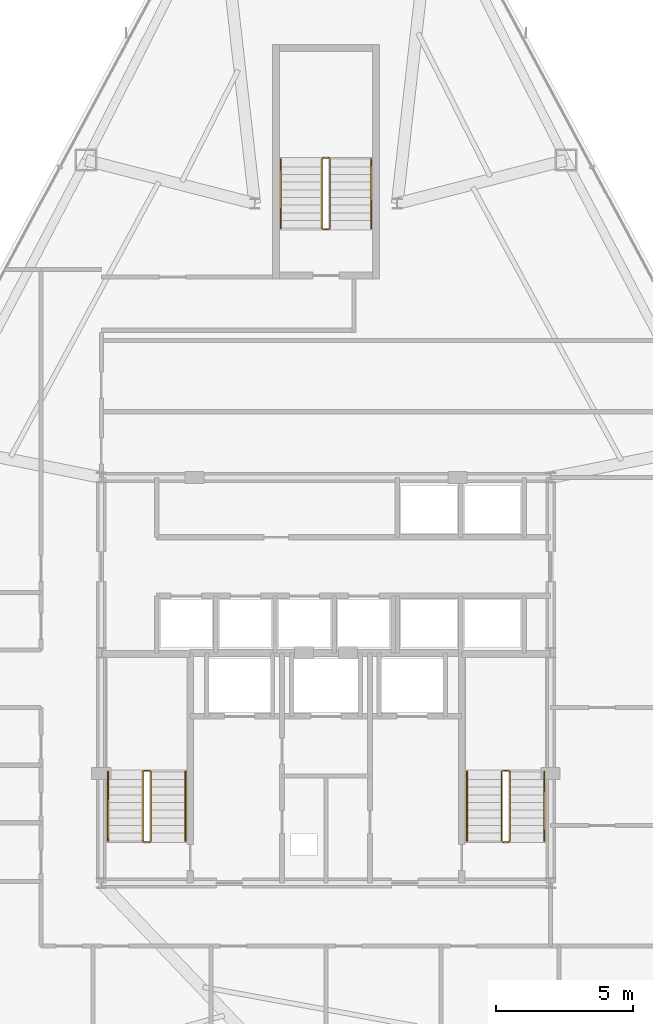
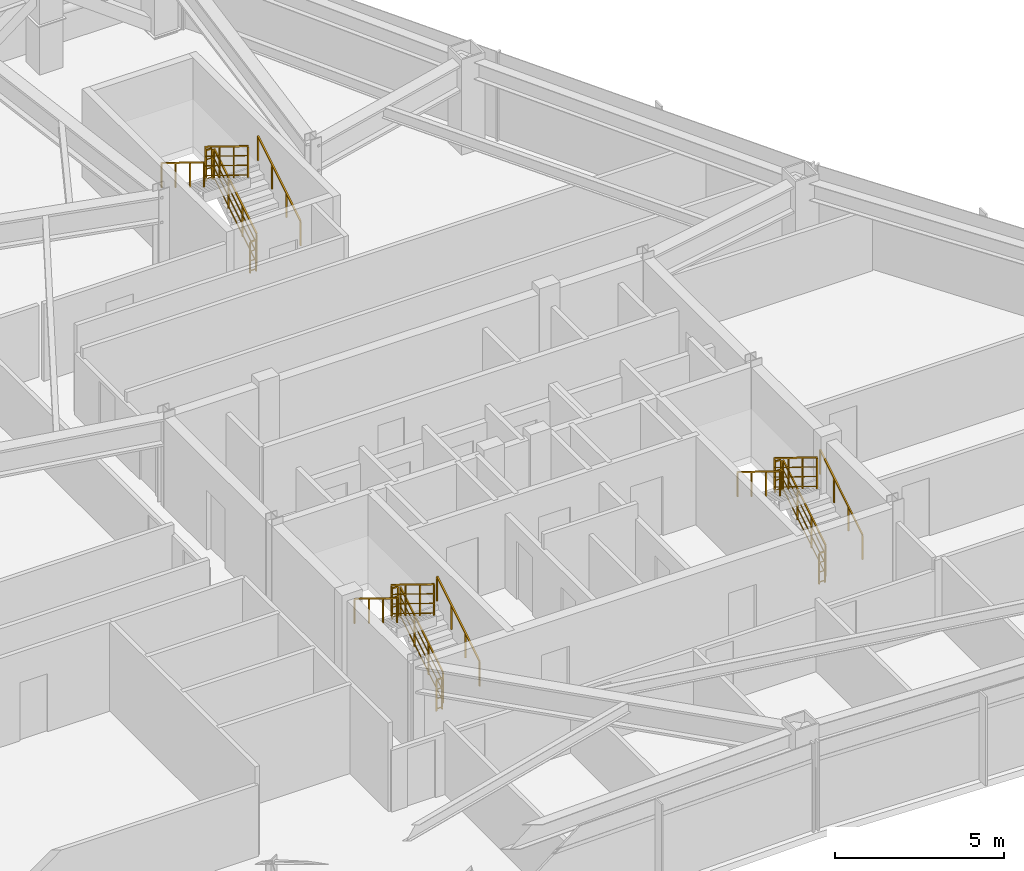
# One storey, part 13 of 13: 18 railings.
"""IFC4 building model written with IfcOpenShell, lengths in metres."""

from ifc_helpers import new_model, si_unit, direction, frame, origin, origin_2d, place, context, subcontext, project, spatial, rectangle, extrude, material, type_object, element, save


model = new_model("IFC4")

# Units and contexts
model_context = context("Model", 3, precision=1e-05, world=origin(), true_north=direction((0.0, 1.0)))
body_context = subcontext(model_context, "Body", "Model", "MODEL_VIEW")
ifc_project = project(units=[si_unit("LENGTHUNIT", "METRE"), si_unit("AREAUNIT", "SQUARE_METRE"), si_unit("VOLUMEUNIT", "CUBIC_METRE"), si_unit("PLANEANGLEUNIT", "RADIAN"), si_unit("MASSUNIT", "GRAM", prefix="KILO")], contexts=[model_context])

# Site, building, storey
site_placement = place(None, origin())
site = spatial("IfcSite", under=ifc_project, at=site_placement, CompositionType="ELEMENT")
building_placement = place(site_placement, origin())
building = spatial("IfcBuilding", under=site, at=building_placement, Name="Varakhsha Concourse Tower", CompositionType="ELEMENT")
storey_placement = place(building_placement, frame((0.0, 0.0, 168.89990234375)))
storey = spatial("IfcBuildingStorey", under=building, at=storey_placement, Name="L48", CompositionType="ELEMENT", Elevation=168.89990234375)

# Railings
ifc_material = material(Name="Brushed Austenitic Stainless Steel AISI 316", Category="steel")
railing_type_1 = type_object("IfcRailingType", Name="RL-STAIR-GUARD-1100", PredefinedType="GUARDRAIL", material=ifc_material)
railing_1_placement = place(storey_placement, frame((33.610107421875, 17.93994140625, 0.172607421875)))
element("IfcRailing", 1, at=railing_1_placement, inside=storey, type_object=railing_type_1, Name="L48 ST1 stair guard 1", PredefinedType="GUARDRAIL", context=body_context, shape_type="SweptSolid", body=[
    extrude(rectangle(XDim=0.048095703125, YDim=0.048095703125, at=origin_2d()), frame((0.0, 0.0, 1.1259765625), z_axis=(0.0, 0.851400495292, 0.524516154772), x_axis=(-1.0, 0.0, 0.0)), (0.0, 0.0, 1.0), 2.9599609375),
    extrude(rectangle(XDim=0.028076171875, YDim=0.028076171875, at=origin_2d()), frame((0.0, 0.0, 0.080078125), z_axis=(0.0, 0.851400495292, 0.524516154772), x_axis=(-1.0, 0.0, 0.0)), (0.0, 0.0, 1.0), 2.9599609375),
    extrude(rectangle(XDim=0.028076171875, YDim=0.028076171875, at=origin_2d()), frame((0.0, 0.0, 0.43701171875), z_axis=(0.0, 0.851400495292, 0.524516154772), x_axis=(-1.0, 0.0, 0.0)), (0.0, 0.0, 1.0), 2.9599609375),
    extrude(rectangle(XDim=0.028076171875, YDim=0.028076171875, at=origin_2d()), frame((0.0, 0.0, 0.781982421875), z_axis=(0.0, 0.851400495292, 0.524516154772), x_axis=(-1.0, 0.0, 0.0)), (0.0, 0.0, 1.0), 2.9599609375),
    extrude(rectangle(XDim=0.0419921875, YDim=0.0419921875, at=origin_2d()), origin(), (0.0, 0.0, 1.0), 1.101806640625),
    extrude(rectangle(XDim=0.0419921875, YDim=0.0419921875, at=origin_2d()), frame((0.0, 0.840087890625, 0.517578125)), (0.0, 0.0, 1.0), 1.101806640625),
    extrude(rectangle(XDim=0.0419921875, YDim=0.0419921875, at=origin_2d()), frame((0.0, 1.679931640625, 1.034912109375)), (0.0, 0.0, 1.0), 1.101806640625),
    extrude(rectangle(XDim=0.0419921875, YDim=0.0419921875, at=origin_2d()), frame((0.0, 2.52001953125, 1.552490234375)), (0.0, 0.0, 1.0), 1.101806640625),
])
railing_2_placement = place(storey_placement, frame((33.56005859375, 20.510009765625, 1.72509765625)))
element("IfcRailing", 2, at=railing_2_placement, inside=storey, type_object=railing_type_1, Name="L48 ST1 stair guard 2", PredefinedType="GUARDRAIL", context=body_context, shape_type="SweptSolid", body=[
    extrude(rectangle(XDim=0.048095703125, YDim=0.048095703125, at=origin_2d()), frame((0.0, 0.0, 1.1259765625), z_axis=(-1.0, 0.0, 0.0), x_axis=(0.0, -1.0, 0.0)), (0.0, 0.0, 1.0), 0.199951171875),
    extrude(rectangle(XDim=0.028076171875, YDim=0.028076171875, at=origin_2d()), frame((0.0, 0.0, 0.080078125), z_axis=(-1.0, 0.0, 0.0), x_axis=(0.0, -1.0, 0.0)), (0.0, 0.0, 1.0), 0.199951171875),
    extrude(rectangle(XDim=0.028076171875, YDim=0.028076171875, at=origin_2d()), frame((0.0, 0.0, 0.43701171875), z_axis=(-1.0, 0.0, 0.0), x_axis=(0.0, -1.0, 0.0)), (0.0, 0.0, 1.0), 0.199951171875),
    extrude(rectangle(XDim=0.028076171875, YDim=0.028076171875, at=origin_2d()), frame((0.0, 0.0, 0.781982421875), z_axis=(-1.0, 0.0, 0.0), x_axis=(0.0, -1.0, 0.0)), (0.0, 0.0, 1.0), 0.199951171875),
    extrude(rectangle(XDim=0.0419921875, YDim=0.0419921875, at=origin_2d()), origin(), (0.0, 0.0, 1.0), 1.101806640625),
    extrude(rectangle(XDim=0.0419921875, YDim=0.0419921875, at=origin_2d()), frame((-0.199951171875, 0.0, 0.0)), (0.0, 0.0, 1.0), 1.101806640625),
])
railing_3_placement = place(storey_placement, frame((33.31005859375, 20.4599609375, 1.897705078125)))
element("IfcRailing", 3, at=railing_3_placement, inside=storey, type_object=railing_type_1, Name="L48 ST1 stair guard 3", PredefinedType="GUARDRAIL", context=body_context, shape_type="SweptSolid", body=[
    extrude(rectangle(XDim=0.048095703125, YDim=0.048095703125, at=origin_2d()), frame((0.0, 0.0, 1.1259765625), z_axis=(0.0, -0.851400495292, 0.524516154772), x_axis=(1.0, 0.0, 0.0)), (0.0, 0.0, 1.0), 2.9599609375),
    extrude(rectangle(XDim=0.028076171875, YDim=0.028076171875, at=origin_2d()), frame((0.0, 0.0, 0.080078125), z_axis=(0.0, -0.851400495292, 0.524516154772), x_axis=(1.0, 0.0, 0.0)), (0.0, 0.0, 1.0), 2.9599609375),
    extrude(rectangle(XDim=0.028076171875, YDim=0.028076171875, at=origin_2d()), frame((0.0, 0.0, 0.43701171875), z_axis=(0.0, -0.851400495292, 0.524516154772), x_axis=(1.0, 0.0, 0.0)), (0.0, 0.0, 1.0), 2.9599609375),
    extrude(rectangle(XDim=0.028076171875, YDim=0.028076171875, at=origin_2d()), frame((0.0, 0.0, 0.781982421875), z_axis=(0.0, -0.851400495292, 0.524516154772), x_axis=(1.0, 0.0, 0.0)), (0.0, 0.0, 1.0), 2.9599609375),
    extrude(rectangle(XDim=0.0419921875, YDim=0.0419921875, at=origin_2d()), origin(), (0.0, 0.0, 1.0), 1.101806640625),
    extrude(rectangle(XDim=0.0419921875, YDim=0.0419921875, at=origin_2d()), frame((0.0, -0.840087890625, 0.517578125)), (0.0, 0.0, 1.0), 1.101806640625),
    extrude(rectangle(XDim=0.0419921875, YDim=0.0419921875, at=origin_2d()), frame((0.0, -1.679931640625, 1.034912109375)), (0.0, 0.0, 1.0), 1.101806640625),
    extrude(rectangle(XDim=0.0419921875, YDim=0.0419921875, at=origin_2d()), frame((0.0, -2.52001953125, 1.552490234375)), (0.0, 0.0, 1.0), 1.101806640625),
])
railing_4_placement = place(storey_placement, frame((33.56005859375, 17.889892578125, 0.0)))
element("IfcRailing", 4, at=railing_4_placement, inside=storey, type_object=railing_type_1, Name="L48 ST1 stair guard 4", PredefinedType="GUARDRAIL", context=body_context, shape_type="SweptSolid", body=[
    extrude(rectangle(XDim=0.048095703125, YDim=0.048095703125, at=origin_2d()), frame((0.0, 0.0, 1.1259765625), z_axis=(-1.0, 0.0, 0.0), x_axis=(0.0, -1.0, 0.0)), (0.0, 0.0, 1.0), 0.199951171875),
    extrude(rectangle(XDim=0.028076171875, YDim=0.028076171875, at=origin_2d()), frame((0.0, 0.0, 0.080078125), z_axis=(-1.0, 0.0, 0.0), x_axis=(0.0, -1.0, 0.0)), (0.0, 0.0, 1.0), 0.199951171875),
    extrude(rectangle(XDim=0.028076171875, YDim=0.028076171875, at=origin_2d()), frame((0.0, 0.0, 0.43701171875), z_axis=(-1.0, 0.0, 0.0), x_axis=(0.0, -1.0, 0.0)), (0.0, 0.0, 1.0), 0.199951171875),
    extrude(rectangle(XDim=0.028076171875, YDim=0.028076171875, at=origin_2d()), frame((0.0, 0.0, 0.781982421875), z_axis=(-1.0, 0.0, 0.0), x_axis=(0.0, -1.0, 0.0)), (0.0, 0.0, 1.0), 0.199951171875),
    extrude(rectangle(XDim=0.0419921875, YDim=0.0419921875, at=origin_2d()), origin(), (0.0, 0.0, 1.0), 1.101806640625),
    extrude(rectangle(XDim=0.0419921875, YDim=0.0419921875, at=origin_2d()), frame((-0.199951171875, 0.0, 0.0)), (0.0, 0.0, 1.0), 1.101806640625),
])
railing_5_placement = place(storey_placement, frame((46.7099609375, 17.93994140625, 0.172607421875)))
element("IfcRailing", 5, at=railing_5_placement, inside=storey, type_object=railing_type_1, Name="L48 ST2 stair guard 1", PredefinedType="GUARDRAIL", context=body_context, shape_type="SweptSolid", body=[
    extrude(rectangle(XDim=0.048095703125, YDim=0.048095703125, at=origin_2d()), frame((0.0, 0.0, 1.1259765625), z_axis=(0.0, 0.851400495292, 0.524516154772), x_axis=(-1.0, 0.0, 0.0)), (0.0, 0.0, 1.0), 2.9599609375),
    extrude(rectangle(XDim=0.028076171875, YDim=0.028076171875, at=origin_2d()), frame((0.0, 0.0, 0.080078125), z_axis=(0.0, 0.851400495292, 0.524516154772), x_axis=(-1.0, 0.0, 0.0)), (0.0, 0.0, 1.0), 2.9599609375),
    extrude(rectangle(XDim=0.028076171875, YDim=0.028076171875, at=origin_2d()), frame((0.0, 0.0, 0.43701171875), z_axis=(0.0, 0.851400495292, 0.524516154772), x_axis=(-1.0, 0.0, 0.0)), (0.0, 0.0, 1.0), 2.9599609375),
    extrude(rectangle(XDim=0.028076171875, YDim=0.028076171875, at=origin_2d()), frame((0.0, 0.0, 0.781982421875), z_axis=(0.0, 0.851400495292, 0.524516154772), x_axis=(-1.0, 0.0, 0.0)), (0.0, 0.0, 1.0), 2.9599609375),
    extrude(rectangle(XDim=0.0419921875, YDim=0.0419921875, at=origin_2d()), origin(), (0.0, 0.0, 1.0), 1.101806640625),
    extrude(rectangle(XDim=0.0419921875, YDim=0.0419921875, at=origin_2d()), frame((0.0, 0.840087890625, 0.517578125)), (0.0, 0.0, 1.0), 1.101806640625),
    extrude(rectangle(XDim=0.0419921875, YDim=0.0419921875, at=origin_2d()), frame((0.0, 1.679931640625, 1.034912109375)), (0.0, 0.0, 1.0), 1.101806640625),
    extrude(rectangle(XDim=0.0419921875, YDim=0.0419921875, at=origin_2d()), frame((0.0, 2.52001953125, 1.552490234375)), (0.0, 0.0, 1.0), 1.101806640625),
])
railing_6_placement = place(storey_placement, frame((46.659912109375, 20.510009765625, 1.72509765625)))
element("IfcRailing", 6, at=railing_6_placement, inside=storey, type_object=railing_type_1, Name="L48 ST2 stair guard 2", PredefinedType="GUARDRAIL", context=body_context, shape_type="SweptSolid", body=[
    extrude(rectangle(XDim=0.048095703125, YDim=0.048095703125, at=origin_2d()), frame((0.0, 0.0, 1.1259765625), z_axis=(-1.0, 0.0, 0.0), x_axis=(0.0, -1.0, 0.0)), (0.0, 0.0, 1.0), 0.199951171875),
    extrude(rectangle(XDim=0.028076171875, YDim=0.028076171875, at=origin_2d()), frame((0.0, 0.0, 0.080078125), z_axis=(-1.0, 0.0, 0.0), x_axis=(0.0, -1.0, 0.0)), (0.0, 0.0, 1.0), 0.199951171875),
    extrude(rectangle(XDim=0.028076171875, YDim=0.028076171875, at=origin_2d()), frame((0.0, 0.0, 0.43701171875), z_axis=(-1.0, 0.0, 0.0), x_axis=(0.0, -1.0, 0.0)), (0.0, 0.0, 1.0), 0.199951171875),
    extrude(rectangle(XDim=0.028076171875, YDim=0.028076171875, at=origin_2d()), frame((0.0, 0.0, 0.781982421875), z_axis=(-1.0, 0.0, 0.0), x_axis=(0.0, -1.0, 0.0)), (0.0, 0.0, 1.0), 0.199951171875),
    extrude(rectangle(XDim=0.0419921875, YDim=0.0419921875, at=origin_2d()), origin(), (0.0, 0.0, 1.0), 1.101806640625),
    extrude(rectangle(XDim=0.0419921875, YDim=0.0419921875, at=origin_2d()), frame((-0.199951171875, 0.0, 0.0)), (0.0, 0.0, 1.0), 1.101806640625),
])
railing_7_placement = place(storey_placement, frame((46.409912109375, 20.4599609375, 1.897705078125)))
element("IfcRailing", 7, at=railing_7_placement, inside=storey, type_object=railing_type_1, Name="L48 ST2 stair guard 3", PredefinedType="GUARDRAIL", context=body_context, shape_type="SweptSolid", body=[
    extrude(rectangle(XDim=0.048095703125, YDim=0.048095703125, at=origin_2d()), frame((0.0, 0.0, 1.1259765625), z_axis=(0.0, -0.851400495292, 0.524516154772), x_axis=(1.0, 0.0, 0.0)), (0.0, 0.0, 1.0), 2.9599609375),
    extrude(rectangle(XDim=0.028076171875, YDim=0.028076171875, at=origin_2d()), frame((0.0, 0.0, 0.080078125), z_axis=(0.0, -0.851400495292, 0.524516154772), x_axis=(1.0, 0.0, 0.0)), (0.0, 0.0, 1.0), 2.9599609375),
    extrude(rectangle(XDim=0.028076171875, YDim=0.028076171875, at=origin_2d()), frame((0.0, 0.0, 0.43701171875), z_axis=(0.0, -0.851400495292, 0.524516154772), x_axis=(1.0, 0.0, 0.0)), (0.0, 0.0, 1.0), 2.9599609375),
    extrude(rectangle(XDim=0.028076171875, YDim=0.028076171875, at=origin_2d()), frame((0.0, 0.0, 0.781982421875), z_axis=(0.0, -0.851400495292, 0.524516154772), x_axis=(1.0, 0.0, 0.0)), (0.0, 0.0, 1.0), 2.9599609375),
    extrude(rectangle(XDim=0.0419921875, YDim=0.0419921875, at=origin_2d()), origin(), (0.0, 0.0, 1.0), 1.101806640625),
    extrude(rectangle(XDim=0.0419921875, YDim=0.0419921875, at=origin_2d()), frame((0.0, -0.840087890625, 0.517578125)), (0.0, 0.0, 1.0), 1.101806640625),
    extrude(rectangle(XDim=0.0419921875, YDim=0.0419921875, at=origin_2d()), frame((0.0, -1.679931640625, 1.034912109375)), (0.0, 0.0, 1.0), 1.101806640625),
    extrude(rectangle(XDim=0.0419921875, YDim=0.0419921875, at=origin_2d()), frame((0.0, -2.52001953125, 1.552490234375)), (0.0, 0.0, 1.0), 1.101806640625),
])
railing_8_placement = place(storey_placement, frame((46.659912109375, 17.889892578125, 0.0)))
element("IfcRailing", 8, at=railing_8_placement, inside=storey, type_object=railing_type_1, Name="L48 ST2 stair guard 4", PredefinedType="GUARDRAIL", context=body_context, shape_type="SweptSolid", body=[
    extrude(rectangle(XDim=0.048095703125, YDim=0.048095703125, at=origin_2d()), frame((0.0, 0.0, 1.1259765625), z_axis=(-1.0, 0.0, 0.0), x_axis=(0.0, -1.0, 0.0)), (0.0, 0.0, 1.0), 0.199951171875),
    extrude(rectangle(XDim=0.028076171875, YDim=0.028076171875, at=origin_2d()), frame((0.0, 0.0, 0.080078125), z_axis=(-1.0, 0.0, 0.0), x_axis=(0.0, -1.0, 0.0)), (0.0, 0.0, 1.0), 0.199951171875),
    extrude(rectangle(XDim=0.028076171875, YDim=0.028076171875, at=origin_2d()), frame((0.0, 0.0, 0.43701171875), z_axis=(-1.0, 0.0, 0.0), x_axis=(0.0, -1.0, 0.0)), (0.0, 0.0, 1.0), 0.199951171875),
    extrude(rectangle(XDim=0.028076171875, YDim=0.028076171875, at=origin_2d()), frame((0.0, 0.0, 0.781982421875), z_axis=(-1.0, 0.0, 0.0), x_axis=(0.0, -1.0, 0.0)), (0.0, 0.0, 1.0), 0.199951171875),
    extrude(rectangle(XDim=0.0419921875, YDim=0.0419921875, at=origin_2d()), origin(), (0.0, 0.0, 1.0), 1.101806640625),
    extrude(rectangle(XDim=0.0419921875, YDim=0.0419921875, at=origin_2d()), frame((-0.199951171875, 0.0, 0.0)), (0.0, 0.0, 1.0), 1.101806640625),
])
railing_9_placement = place(storey_placement, frame((40.14990234375, 40.300048828125, 0.172607421875)))
element("IfcRailing", 9, at=railing_9_placement, inside=storey, type_object=railing_type_1, Name="L48 ST5 stair guard 1", PredefinedType="GUARDRAIL", context=body_context, shape_type="SweptSolid", body=[
    extrude(rectangle(XDim=0.048095703125, YDim=0.048095703125, at=origin_2d()), frame((0.0, 0.0, 1.1259765625), z_axis=(0.0, 0.851400495292, 0.524516154772), x_axis=(-1.0, 0.0, 0.0)), (0.0, 0.0, 1.0), 2.9599609375),
    extrude(rectangle(XDim=0.028076171875, YDim=0.028076171875, at=origin_2d()), frame((0.0, 0.0, 0.080078125), z_axis=(0.0, 0.851400495292, 0.524516154772), x_axis=(-1.0, 0.0, 0.0)), (0.0, 0.0, 1.0), 2.9599609375),
    extrude(rectangle(XDim=0.028076171875, YDim=0.028076171875, at=origin_2d()), frame((0.0, 0.0, 0.43701171875), z_axis=(0.0, 0.851400495292, 0.524516154772), x_axis=(-1.0, 0.0, 0.0)), (0.0, 0.0, 1.0), 2.9599609375),
    extrude(rectangle(XDim=0.028076171875, YDim=0.028076171875, at=origin_2d()), frame((0.0, 0.0, 0.781982421875), z_axis=(0.0, 0.851400495292, 0.524516154772), x_axis=(-1.0, 0.0, 0.0)), (0.0, 0.0, 1.0), 2.9599609375),
    extrude(rectangle(XDim=0.0419921875, YDim=0.0419921875, at=origin_2d()), origin(), (0.0, 0.0, 1.0), 1.101806640625),
    extrude(rectangle(XDim=0.0419921875, YDim=0.0419921875, at=origin_2d()), frame((0.0, 0.840087890625, 0.517578125)), (0.0, 0.0, 1.0), 1.101806640625),
    extrude(rectangle(XDim=0.0419921875, YDim=0.0419921875, at=origin_2d()), frame((0.0, 1.679931640625, 1.034912109375)), (0.0, 0.0, 1.0), 1.101806640625),
    extrude(rectangle(XDim=0.0419921875, YDim=0.0419921875, at=origin_2d()), frame((0.0, 2.52001953125, 1.552490234375)), (0.0, 0.0, 1.0), 1.101806640625),
])
railing_10_placement = place(storey_placement, frame((40.10009765625, 42.8701171875, 1.72509765625)))
element("IfcRailing", 10, at=railing_10_placement, inside=storey, type_object=railing_type_1, Name="L48 ST5 stair guard 2", PredefinedType="GUARDRAIL", context=body_context, shape_type="SweptSolid", body=[
    extrude(rectangle(XDim=0.048095703125, YDim=0.048095703125, at=origin_2d()), frame((0.0, 0.0, 1.1259765625), z_axis=(-1.0, 0.0, 0.0), x_axis=(0.0, -1.0, 0.0)), (0.0, 0.0, 1.0), 0.2001953125),
    extrude(rectangle(XDim=0.028076171875, YDim=0.028076171875, at=origin_2d()), frame((0.0, 0.0, 0.080078125), z_axis=(-1.0, 0.0, 0.0), x_axis=(0.0, -1.0, 0.0)), (0.0, 0.0, 1.0), 0.2001953125),
    extrude(rectangle(XDim=0.028076171875, YDim=0.028076171875, at=origin_2d()), frame((0.0, 0.0, 0.43701171875), z_axis=(-1.0, 0.0, 0.0), x_axis=(0.0, -1.0, 0.0)), (0.0, 0.0, 1.0), 0.2001953125),
    extrude(rectangle(XDim=0.028076171875, YDim=0.028076171875, at=origin_2d()), frame((0.0, 0.0, 0.781982421875), z_axis=(-1.0, 0.0, 0.0), x_axis=(0.0, -1.0, 0.0)), (0.0, 0.0, 1.0), 0.2001953125),
    extrude(rectangle(XDim=0.0419921875, YDim=0.0419921875, at=origin_2d()), origin(), (0.0, 0.0, 1.0), 1.101806640625),
    extrude(rectangle(XDim=0.0419921875, YDim=0.0419921875, at=origin_2d()), frame((-0.2001953125, 0.0, 0.0)), (0.0, 0.0, 1.0), 1.101806640625),
])
railing_11_placement = place(storey_placement, frame((39.85009765625, 42.820068359375, 1.897705078125)))
element("IfcRailing", 11, at=railing_11_placement, inside=storey, type_object=railing_type_1, Name="L48 ST5 stair guard 3", PredefinedType="GUARDRAIL", context=body_context, shape_type="SweptSolid", body=[
    extrude(rectangle(XDim=0.048095703125, YDim=0.048095703125, at=origin_2d()), frame((0.0, 0.0, 1.1259765625), z_axis=(0.0, -0.851400495292, 0.524516154772), x_axis=(1.0, 0.0, 0.0)), (0.0, 0.0, 1.0), 2.9599609375),
    extrude(rectangle(XDim=0.028076171875, YDim=0.028076171875, at=origin_2d()), frame((0.0, 0.0, 0.080078125), z_axis=(0.0, -0.851400495292, 0.524516154772), x_axis=(1.0, 0.0, 0.0)), (0.0, 0.0, 1.0), 2.9599609375),
    extrude(rectangle(XDim=0.028076171875, YDim=0.028076171875, at=origin_2d()), frame((0.0, 0.0, 0.43701171875), z_axis=(0.0, -0.851400495292, 0.524516154772), x_axis=(1.0, 0.0, 0.0)), (0.0, 0.0, 1.0), 2.9599609375),
    extrude(rectangle(XDim=0.028076171875, YDim=0.028076171875, at=origin_2d()), frame((0.0, 0.0, 0.781982421875), z_axis=(0.0, -0.851400495292, 0.524516154772), x_axis=(1.0, 0.0, 0.0)), (0.0, 0.0, 1.0), 2.9599609375),
    extrude(rectangle(XDim=0.0419921875, YDim=0.0419921875, at=origin_2d()), origin(), (0.0, 0.0, 1.0), 1.101806640625),
    extrude(rectangle(XDim=0.0419921875, YDim=0.0419921875, at=origin_2d()), frame((0.0, -0.840087890625, 0.517578125)), (0.0, 0.0, 1.0), 1.101806640625),
    extrude(rectangle(XDim=0.0419921875, YDim=0.0419921875, at=origin_2d()), frame((0.0, -1.679931640625, 1.034912109375)), (0.0, 0.0, 1.0), 1.101806640625),
    extrude(rectangle(XDim=0.0419921875, YDim=0.0419921875, at=origin_2d()), frame((0.0, -2.52001953125, 1.552490234375)), (0.0, 0.0, 1.0), 1.101806640625),
])
railing_12_placement = place(storey_placement, frame((40.10009765625, 40.25, 0.0)))
element("IfcRailing", 12, at=railing_12_placement, inside=storey, type_object=railing_type_1, Name="L48 ST5 stair guard 4", PredefinedType="GUARDRAIL", context=body_context, shape_type="SweptSolid", body=[
    extrude(rectangle(XDim=0.048095703125, YDim=0.048095703125, at=origin_2d()), frame((0.0, 0.0, 1.1259765625), z_axis=(-1.0, 0.0, 0.0), x_axis=(0.0, -1.0, 0.0)), (0.0, 0.0, 1.0), 0.2001953125),
    extrude(rectangle(XDim=0.028076171875, YDim=0.028076171875, at=origin_2d()), frame((0.0, 0.0, 0.080078125), z_axis=(-1.0, 0.0, 0.0), x_axis=(0.0, -1.0, 0.0)), (0.0, 0.0, 1.0), 0.2001953125),
    extrude(rectangle(XDim=0.028076171875, YDim=0.028076171875, at=origin_2d()), frame((0.0, 0.0, 0.43701171875), z_axis=(-1.0, 0.0, 0.0), x_axis=(0.0, -1.0, 0.0)), (0.0, 0.0, 1.0), 0.2001953125),
    extrude(rectangle(XDim=0.028076171875, YDim=0.028076171875, at=origin_2d()), frame((0.0, 0.0, 0.781982421875), z_axis=(-1.0, 0.0, 0.0), x_axis=(0.0, -1.0, 0.0)), (0.0, 0.0, 1.0), 0.2001953125),
    extrude(rectangle(XDim=0.0419921875, YDim=0.0419921875, at=origin_2d()), origin(), (0.0, 0.0, 1.0), 1.101806640625),
    extrude(rectangle(XDim=0.0419921875, YDim=0.0419921875, at=origin_2d()), frame((-0.2001953125, 0.0, 0.0)), (0.0, 0.0, 1.0), 1.101806640625),
])
railing_type_2 = type_object("IfcRailingType", Name="RL-STAIR-RAIL-915", PredefinedType="HANDRAIL", material=ifc_material)
railing_13_placement = place(storey_placement, frame((34.8701171875, 17.93994140625, 0.34521484375)))
element("IfcRailing", 13, at=railing_13_placement, inside=storey, type_object=railing_type_2, Name="L48 ST1 stair handrail 1", PredefinedType="HANDRAIL", context=body_context, shape_type="SweptSolid", body=[
    extrude(rectangle(XDim=0.048095703125, YDim=0.048095703125, at=origin_2d()), frame((0.0, 0.0, 0.89111328125), z_axis=(0.0, 0.851400495292, 0.524516154772), x_axis=(-1.0, 0.0, 0.0)), (0.0, 0.0, 1.0), 2.9599609375),
    extrude(rectangle(XDim=0.0419921875, YDim=0.0419921875, at=origin_2d()), origin(), (0.0, 0.0, 1.0), 0.866943359375),
    extrude(rectangle(XDim=0.0419921875, YDim=0.0419921875, at=origin_2d()), frame((0.0, 0.840087890625, 0.517578125)), (0.0, 0.0, 1.0), 0.866943359375),
    extrude(rectangle(XDim=0.0419921875, YDim=0.0419921875, at=origin_2d()), frame((0.0, 1.679931640625, 1.034912109375)), (0.0, 0.0, 1.0), 0.866943359375),
    extrude(rectangle(XDim=0.0419921875, YDim=0.0419921875, at=origin_2d()), frame((0.0, 2.52001953125, 1.552490234375)), (0.0, 0.0, 1.0), 0.866943359375),
])
railing_14_placement = place(storey_placement, frame((32.050048828125, 20.4599609375, 2.070068359375)))
element("IfcRailing", 14, at=railing_14_placement, inside=storey, type_object=railing_type_2, Name="L48 ST1 stair handrail 2", PredefinedType="HANDRAIL", context=body_context, shape_type="SweptSolid", body=[
    extrude(rectangle(XDim=0.048095703125, YDim=0.048095703125, at=origin_2d()), frame((0.0, 0.0, 0.89111328125), z_axis=(0.0, -0.851400495292, 0.524516154772), x_axis=(1.0, 0.0, 0.0)), (0.0, 0.0, 1.0), 2.9599609375),
    extrude(rectangle(XDim=0.0419921875, YDim=0.0419921875, at=origin_2d()), origin(), (0.0, 0.0, 1.0), 0.866943359375),
    extrude(rectangle(XDim=0.0419921875, YDim=0.0419921875, at=origin_2d()), frame((0.0, -0.840087890625, 0.517578125)), (0.0, 0.0, 1.0), 0.866943359375),
    extrude(rectangle(XDim=0.0419921875, YDim=0.0419921875, at=origin_2d()), frame((0.0, -1.679931640625, 1.034912109375)), (0.0, 0.0, 1.0), 0.866943359375),
    extrude(rectangle(XDim=0.0419921875, YDim=0.0419921875, at=origin_2d()), frame((0.0, -2.52001953125, 1.552490234375)), (0.0, 0.0, 1.0), 0.866943359375),
])
railing_15_placement = place(storey_placement, frame((47.969970703125, 17.93994140625, 0.34521484375)))
element("IfcRailing", 15, at=railing_15_placement, inside=storey, type_object=railing_type_2, Name="L48 ST2 stair handrail 1", PredefinedType="HANDRAIL", context=body_context, shape_type="SweptSolid", body=[
    extrude(rectangle(XDim=0.048095703125, YDim=0.048095703125, at=origin_2d()), frame((0.0, 0.0, 0.89111328125), z_axis=(0.0, 0.851400495292, 0.524516154772), x_axis=(-1.0, 0.0, 0.0)), (0.0, 0.0, 1.0), 2.9599609375),
    extrude(rectangle(XDim=0.0419921875, YDim=0.0419921875, at=origin_2d()), origin(), (0.0, 0.0, 1.0), 0.866943359375),
    extrude(rectangle(XDim=0.0419921875, YDim=0.0419921875, at=origin_2d()), frame((0.0, 0.840087890625, 0.517578125)), (0.0, 0.0, 1.0), 0.866943359375),
    extrude(rectangle(XDim=0.0419921875, YDim=0.0419921875, at=origin_2d()), frame((0.0, 1.679931640625, 1.034912109375)), (0.0, 0.0, 1.0), 0.866943359375),
    extrude(rectangle(XDim=0.0419921875, YDim=0.0419921875, at=origin_2d()), frame((0.0, 2.52001953125, 1.552490234375)), (0.0, 0.0, 1.0), 0.866943359375),
])
railing_16_placement = place(storey_placement, frame((45.14990234375, 20.4599609375, 2.070068359375)))
element("IfcRailing", 16, at=railing_16_placement, inside=storey, type_object=railing_type_2, Name="L48 ST2 stair handrail 2", PredefinedType="HANDRAIL", context=body_context, shape_type="SweptSolid", body=[
    extrude(rectangle(XDim=0.048095703125, YDim=0.048095703125, at=origin_2d()), frame((0.0, 0.0, 0.89111328125), z_axis=(0.0, -0.851400495292, 0.524516154772), x_axis=(1.0, 0.0, 0.0)), (0.0, 0.0, 1.0), 2.9599609375),
    extrude(rectangle(XDim=0.0419921875, YDim=0.0419921875, at=origin_2d()), origin(), (0.0, 0.0, 1.0), 0.866943359375),
    extrude(rectangle(XDim=0.0419921875, YDim=0.0419921875, at=origin_2d()), frame((0.0, -0.840087890625, 0.517578125)), (0.0, 0.0, 1.0), 0.866943359375),
    extrude(rectangle(XDim=0.0419921875, YDim=0.0419921875, at=origin_2d()), frame((0.0, -1.679931640625, 1.034912109375)), (0.0, 0.0, 1.0), 0.866943359375),
    extrude(rectangle(XDim=0.0419921875, YDim=0.0419921875, at=origin_2d()), frame((0.0, -2.52001953125, 1.552490234375)), (0.0, 0.0, 1.0), 0.866943359375),
])
railing_17_placement = place(storey_placement, frame((41.64990234375, 40.300048828125, 0.34521484375)))
element("IfcRailing", 17, at=railing_17_placement, inside=storey, type_object=railing_type_2, Name="L48 ST5 stair handrail 1", PredefinedType="HANDRAIL", context=body_context, shape_type="SweptSolid", body=[
    extrude(rectangle(XDim=0.048095703125, YDim=0.048095703125, at=origin_2d()), frame((0.0, 0.0, 0.89111328125), z_axis=(0.0, 0.851400495292, 0.524516154772), x_axis=(-1.0, 0.0, 0.0)), (0.0, 0.0, 1.0), 2.9599609375),
    extrude(rectangle(XDim=0.0419921875, YDim=0.0419921875, at=origin_2d()), origin(), (0.0, 0.0, 1.0), 0.866943359375),
    extrude(rectangle(XDim=0.0419921875, YDim=0.0419921875, at=origin_2d()), frame((0.0, 0.840087890625, 0.517578125)), (0.0, 0.0, 1.0), 0.866943359375),
    extrude(rectangle(XDim=0.0419921875, YDim=0.0419921875, at=origin_2d()), frame((0.0, 1.679931640625, 1.034912109375)), (0.0, 0.0, 1.0), 0.866943359375),
    extrude(rectangle(XDim=0.0419921875, YDim=0.0419921875, at=origin_2d()), frame((0.0, 2.52001953125, 1.552490234375)), (0.0, 0.0, 1.0), 0.866943359375),
])
railing_18_placement = place(storey_placement, frame((38.35009765625, 42.820068359375, 2.070068359375)))
element("IfcRailing", 18, at=railing_18_placement, inside=storey, type_object=railing_type_2, Name="L48 ST5 stair handrail 2", PredefinedType="HANDRAIL", context=body_context, shape_type="SweptSolid", body=[
    extrude(rectangle(XDim=0.048095703125, YDim=0.048095703125, at=origin_2d()), frame((0.0, 0.0, 0.89111328125), z_axis=(0.0, -0.851400495292, 0.524516154772), x_axis=(1.0, 0.0, 0.0)), (0.0, 0.0, 1.0), 2.9599609375),
    extrude(rectangle(XDim=0.0419921875, YDim=0.0419921875, at=origin_2d()), origin(), (0.0, 0.0, 1.0), 0.866943359375),
    extrude(rectangle(XDim=0.0419921875, YDim=0.0419921875, at=origin_2d()), frame((0.0, -0.840087890625, 0.517578125)), (0.0, 0.0, 1.0), 0.866943359375),
    extrude(rectangle(XDim=0.0419921875, YDim=0.0419921875, at=origin_2d()), frame((0.0, -1.679931640625, 1.034912109375)), (0.0, 0.0, 1.0), 0.866943359375),
    extrude(rectangle(XDim=0.0419921875, YDim=0.0419921875, at=origin_2d()), frame((0.0, -2.52001953125, 1.552490234375)), (0.0, 0.0, 1.0), 0.866943359375),
])

save(model, "model.ifc")
